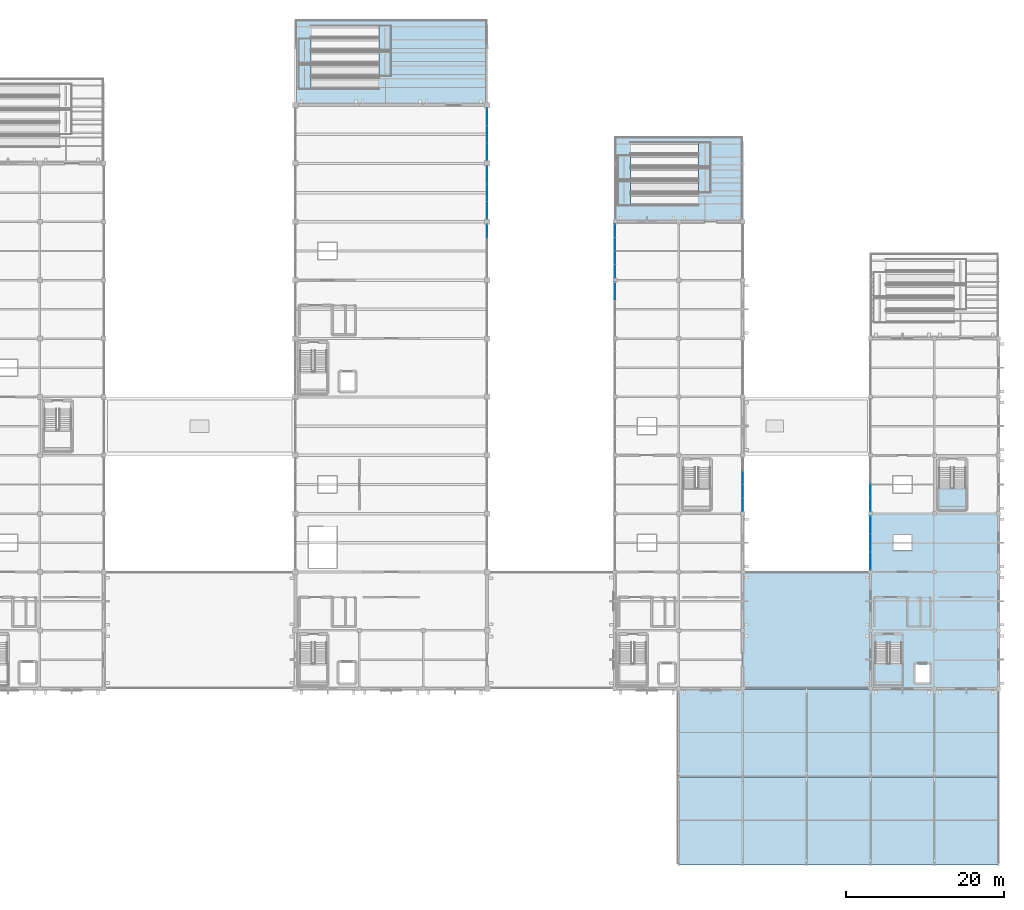
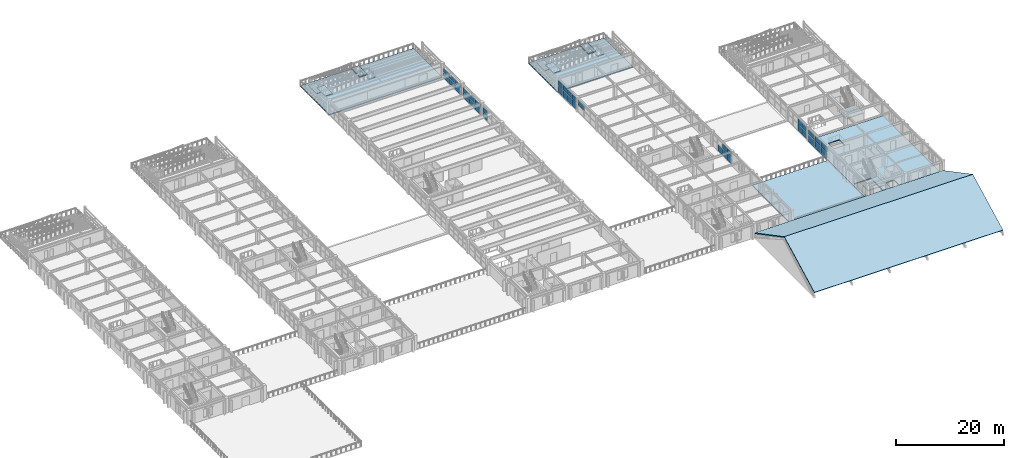
# One storey, part 98 of 121: 38 plates, 16 slabs, 10 elements without a shape of their own.
"""IFC4 building model written with IfcOpenShell, lengths in metres."""

from ifc_helpers import new_model, si_unit, direction, frame, origin, origin_2d, place, context, subcontext, project, spatial, polyline, rectangle, outline, extrude, material, layer, layer_set, type_object, element, aggregate, save


model = new_model("IFC4")

# Units and contexts
model_context = context("Model", 3, precision=1e-05, world=origin(), true_north=direction((0.0, 1.0)))
body_context = subcontext(model_context, "Body", "Model", "MODEL_VIEW")
ifc_project = project(units=[si_unit("LENGTHUNIT", "METRE"), si_unit("AREAUNIT", "SQUARE_METRE"), si_unit("VOLUMEUNIT", "CUBIC_METRE"), si_unit("PLANEANGLEUNIT", "RADIAN"), si_unit("MASSUNIT", "GRAM", prefix="KILO")], contexts=[model_context])

# Site, building, storey
site_placement = place(None, origin())
site = spatial("IfcSite", under=ifc_project, at=site_placement, CompositionType="ELEMENT")
building_placement = place(site_placement, origin())
building = spatial("IfcBuilding", under=site, at=building_placement, Name="Cimatlan Art Gallery", CompositionType="ELEMENT")
storey_placement = place(building_placement, frame((0.0, 0.0, 10.199951171875)))
storey = spatial("IfcBuildingStorey", under=building, at=storey_placement, Name="L02", CompositionType="ELEMENT", Elevation=10.199951171875)

# Curtain wall, plates
ifc_material_1 = material(Name="Anodised bronze unitised curtain wall")
curtain_wall_type_1 = type_object("IfcCurtainWallType", Name="CW-V-06692X02494-B4", PredefinedType="NOTDEFINED", material=ifc_material_1)
curtain_wall_1_placement = place(storey_placement, origin())
curtain_wall_1 = element("IfcCurtainWall", 1, at=curtain_wall_1_placement, inside=storey, type_object=curtain_wall_type_1, Name="CW-L02-11-10-E", PredefinedType="NOTDEFINED")
ifc_material_2 = material(Name="Low-E insulated double glazing", Category="glass")
ifc_layer_1 = layer(ifc_material_2, 0.028076171875)
ifc_layer_set_1 = layer_set([ifc_layer_1], Name="Low-E insulated double glazing")
plate_type_1 = type_object("IfcPlateType", Name="PNL-1615X0913", PredefinedType="CURTAIN_PANEL", material=ifc_layer_set_1)
plate_1_placement = place(storey_placement, frame((99.199951171875, 81.909423828125, 1.458740234375), z_axis=(0.0, 0.0, 1.0), x_axis=(0.0, -1.0, 0.0)))
plate_1 = element("IfcPlate", 2, at=plate_1_placement, type_object=plate_type_1, Name="CW-L02-11-10-E-P12", PredefinedType="CURTAIN_PANEL", context=body_context, shape_type="SweptSolid", body=[
    extrude(rectangle(XDim=1.614990234375, YDim=0.028076171875, at=origin_2d()), origin(), (0.0, 0.0, 1.0), 0.9130859375),
])
ifc_layer_2 = layer(ifc_material_2, 0.028076171875)
ifc_layer_set_2 = layer_set([ifc_layer_2], Name="Low-E insulated double glazing")
plate_type_2 = type_object("IfcPlateType", Name="PNL-1615X1213", PredefinedType="CURTAIN_PANEL", material=ifc_layer_set_2)
plate_2_placement = place(storey_placement, frame((99.199951171875, 81.909423828125, 0.121826171875), z_axis=(0.0, 0.0, 1.0), x_axis=(0.0, -1.0, 0.0)))
plate_2 = element("IfcPlate", 3, at=plate_2_placement, type_object=plate_type_2, Name="CW-L02-11-10-E-P11", PredefinedType="CURTAIN_PANEL", context=body_context, shape_type="SweptSolid", body=[
    extrude(rectangle(XDim=1.614990234375, YDim=0.028076171875, at=origin_2d()), origin(), (0.0, 0.0, 1.0), 1.212890625),
])
aggregate(curtain_wall_1, [plate_2, plate_1])

curtain_wall_type_2 = type_object("IfcCurtainWallType", Name="CW-V-06842X02838-B4", PredefinedType="NOTDEFINED", material=ifc_material_1)
curtain_wall_2_placement = place(storey_placement, origin())
curtain_wall_2 = element("IfcCurtainWall", 4, at=curtain_wall_2_placement, inside=storey, type_object=curtain_wall_type_2, Name="CW-L02-14-10-W", PredefinedType="NOTDEFINED")
ifc_layer_3 = layer(ifc_material_2, 0.028076171875)
ifc_layer_set_3 = layer_set([ifc_layer_3], Name="Low-E insulated double glazing")
plate_type_3 = type_object("IfcPlateType", Name="PNL-1652X1065", PredefinedType="CURTAIN_PANEL", material=ifc_layer_set_3)
plate_3_placement = place(storey_placement, frame((115.39990234375, 76.834228515625, 1.651123046875), z_axis=(0.0, 0.0, 1.0), x_axis=(0.0, 1.0, 0.0)))
plate_3 = element("IfcPlate", 5, at=plate_3_placement, type_object=plate_type_3, Name="CW-L02-14-10-W-P12", PredefinedType="CURTAIN_PANEL", context=body_context, shape_type="SweptSolid", body=[
    extrude(rectangle(XDim=1.652099609375, YDim=0.028076171875, at=origin_2d()), origin(), (0.0, 0.0, 1.0), 1.06494140625),
])
plate_4_placement = place(storey_placement, frame((115.39990234375, 78.544677734375, 1.651123046875), z_axis=(0.0, 0.0, 1.0), x_axis=(0.0, 1.0, 0.0)))
plate_4 = element("IfcPlate", 6, at=plate_4_placement, type_object=plate_type_3, Name="CW-L02-14-10-W-P22", PredefinedType="CURTAIN_PANEL", context=body_context, shape_type="SweptSolid", body=[
    extrude(rectangle(XDim=1.652099609375, YDim=0.028076171875, at=origin_2d()), origin(), (0.0, 0.0, 1.0), 1.06494140625),
])
plate_5_placement = place(storey_placement, frame((115.39990234375, 80.25537109375, 1.651123046875), z_axis=(0.0, 0.0, 1.0), x_axis=(0.0, 1.0, 0.0)))
plate_5 = element("IfcPlate", 7, at=plate_5_placement, type_object=plate_type_3, Name="CW-L02-14-10-W-P32", PredefinedType="CURTAIN_PANEL", context=body_context, shape_type="SweptSolid", body=[
    extrude(rectangle(XDim=1.652099609375, YDim=0.028076171875, at=origin_2d()), origin(), (0.0, 0.0, 1.0), 1.06494140625),
])
plate_6_placement = place(storey_placement, frame((115.39990234375, 81.9658203125, 1.651123046875), z_axis=(0.0, 0.0, 1.0), x_axis=(0.0, 1.0, 0.0)))
plate_6 = element("IfcPlate", 8, at=plate_6_placement, type_object=plate_type_3, Name="CW-L02-14-10-W-P42", PredefinedType="CURTAIN_PANEL", context=body_context, shape_type="SweptSolid", body=[
    extrude(rectangle(XDim=1.652099609375, YDim=0.028076171875, at=origin_2d()), origin(), (0.0, 0.0, 1.0), 1.06494140625),
])

curtain_wall_type_3 = type_object("IfcCurtainWallType", Name="CW-V-06842X02853-B4", PredefinedType="NOTDEFINED", material=ifc_material_1)
curtain_wall_3_placement = place(storey_placement, origin())
curtain_wall_3 = element("IfcCurtainWall", 9, at=curtain_wall_3_placement, inside=storey, type_object=curtain_wall_type_3, Name="CW-L02-15-06-E", PredefinedType="NOTDEFINED")
ifc_layer_4 = layer(ifc_material_2, 0.028076171875)
ifc_layer_set_4 = layer_set([ifc_layer_4], Name="Low-E insulated double glazing")
plate_type_4 = type_object("IfcPlateType", Name="PNL-1652X1071", PredefinedType="CURTAIN_PANEL", material=ifc_layer_set_4)
plate_7_placement = place(storey_placement, frame((131.60009765625, 48.94482421875, 1.65966796875), z_axis=(0.0, 0.0, 1.0), x_axis=(0.0, -1.0, 0.0)))
plate_7 = element("IfcPlate", 10, at=plate_7_placement, type_object=plate_type_4, Name="CW-L02-15-06-E-P32", PredefinedType="CURTAIN_PANEL", context=body_context, shape_type="SweptSolid", body=[
    extrude(rectangle(XDim=1.652099609375, YDim=0.028076171875, at=origin_2d()), origin(), (0.0, 0.0, 1.0), 1.071044921875),
])
plate_8_placement = place(storey_placement, frame((131.60009765625, 47.234130859375, 1.65966796875), z_axis=(0.0, 0.0, 1.0), x_axis=(0.0, -1.0, 0.0)))
plate_8 = element("IfcPlate", 11, at=plate_8_placement, type_object=plate_type_4, Name="CW-L02-15-06-E-P42", PredefinedType="CURTAIN_PANEL", context=body_context, shape_type="SweptSolid", body=[
    extrude(rectangle(XDim=1.652099609375, YDim=0.028076171875, at=origin_2d()), origin(), (0.0, 0.0, 1.0), 1.071044921875),
])

curtain_wall_type_4 = type_object("IfcCurtainWallType", Name="CW-V-06842X02898-B4", PredefinedType="NOTDEFINED", material=ifc_material_1)
curtain_wall_4_placement = place(storey_placement, origin())
curtain_wall_4 = element("IfcCurtainWall", 12, at=curtain_wall_4_placement, inside=storey, type_object=curtain_wall_type_4, Name="CW-L02-18-06-W", PredefinedType="NOTDEFINED")
ifc_layer_5 = layer(ifc_material_2, 0.028076171875)
ifc_layer_set_5 = layer_set([ifc_layer_5], Name="Low-E insulated double glazing")
plate_type_5 = type_object("IfcPlateType", Name="PNL-1652X1091", PredefinedType="CURTAIN_PANEL", material=ifc_layer_set_5)
plate_9_placement = place(storey_placement, frame((147.800048828125, 47.234130859375, 1.68505859375), z_axis=(0.0, 0.0, 1.0), x_axis=(0.0, 1.0, 0.0)))
plate_9 = element("IfcPlate", 13, at=plate_9_placement, type_object=plate_type_5, Name="CW-L02-18-06-W-P12", PredefinedType="CURTAIN_PANEL", context=body_context, shape_type="SweptSolid", body=[
    extrude(rectangle(XDim=1.652099609375, YDim=0.028076171875, at=origin_2d()), origin(), (0.0, 0.0, 1.0), 1.091064453125),
])
plate_10_placement = place(storey_placement, frame((147.800048828125, 48.94482421875, 1.68505859375), z_axis=(0.0, 0.0, 1.0), x_axis=(0.0, 1.0, 0.0)))
plate_10 = element("IfcPlate", 14, at=plate_10_placement, type_object=plate_type_5, Name="CW-L02-18-06-W-P22", PredefinedType="CURTAIN_PANEL", context=body_context, shape_type="SweptSolid", body=[
    extrude(rectangle(XDim=1.652099609375, YDim=0.028076171875, at=origin_2d()), origin(), (0.0, 0.0, 1.0), 1.091064453125),
])

# Plate
ifc_layer_6 = layer(ifc_material_2, 0.028076171875)
ifc_layer_set_6 = layer_set([ifc_layer_6], Name="Low-E insulated double glazing")
plate_type_6 = type_object("IfcPlateType", Name="PNL-1652X1405", PredefinedType="CURTAIN_PANEL", material=ifc_layer_set_6)
plate_11_placement = place(storey_placement, frame((115.39990234375, 76.834228515625, 0.1220703125), z_axis=(0.0, 0.0, 1.0), x_axis=(0.0, 1.0, 0.0)))
plate_11 = element("IfcPlate", 15, at=plate_11_placement, type_object=plate_type_6, Name="CW-L02-14-10-W-P11", PredefinedType="CURTAIN_PANEL", context=body_context, shape_type="SweptSolid", body=[
    extrude(rectangle(XDim=1.652099609375, YDim=0.028076171875, at=origin_2d()), origin(), (0.0, 0.0, 1.0), 1.405029296875),
])

plate_12_placement = place(storey_placement, frame((115.39990234375, 78.544677734375, 0.1220703125), z_axis=(0.0, 0.0, 1.0), x_axis=(0.0, 1.0, 0.0)))
plate_12 = element("IfcPlate", 16, at=plate_12_placement, type_object=plate_type_6, Name="CW-L02-14-10-W-P21", PredefinedType="CURTAIN_PANEL", context=body_context, shape_type="SweptSolid", body=[
    extrude(rectangle(XDim=1.652099609375, YDim=0.028076171875, at=origin_2d()), origin(), (0.0, 0.0, 1.0), 1.405029296875),
])

plate_13_placement = place(storey_placement, frame((115.39990234375, 80.25537109375, 0.1220703125), z_axis=(0.0, 0.0, 1.0), x_axis=(0.0, 1.0, 0.0)))
plate_13 = element("IfcPlate", 17, at=plate_13_placement, type_object=plate_type_6, Name="CW-L02-14-10-W-P31", PredefinedType="CURTAIN_PANEL", context=body_context, shape_type="SweptSolid", body=[
    extrude(rectangle(XDim=1.652099609375, YDim=0.028076171875, at=origin_2d()), origin(), (0.0, 0.0, 1.0), 1.405029296875),
])

plate_14_placement = place(storey_placement, frame((115.39990234375, 81.9658203125, 0.1220703125), z_axis=(0.0, 0.0, 1.0), x_axis=(0.0, 1.0, 0.0)))
plate_14 = element("IfcPlate", 18, at=plate_14_placement, type_object=plate_type_6, Name="CW-L02-14-10-W-P41", PredefinedType="CURTAIN_PANEL", context=body_context, shape_type="SweptSolid", body=[
    extrude(rectangle(XDim=1.652099609375, YDim=0.028076171875, at=origin_2d()), origin(), (0.0, 0.0, 1.0), 1.405029296875),
])

aggregate(curtain_wall_2, [plate_11, plate_3, plate_12, plate_4, plate_13, plate_5, plate_14, plate_6])

ifc_layer_7 = layer(ifc_material_2, 0.028076171875)
ifc_layer_set_7 = layer_set([ifc_layer_7], Name="Low-E insulated double glazing")
plate_type_7 = type_object("IfcPlateType", Name="PNL-1652X1414", PredefinedType="CURTAIN_PANEL", material=ifc_layer_set_7)
plate_15_placement = place(storey_placement, frame((131.60009765625, 50.6552734375, 0.121826171875), z_axis=(0.0, 0.0, 1.0), x_axis=(0.0, -1.0, 0.0)))
plate_15 = element("IfcPlate", 19, at=plate_15_placement, type_object=plate_type_7, Name="CW-L02-15-06-E-P21", PredefinedType="CURTAIN_PANEL", context=body_context, shape_type="SweptSolid", body=[
    extrude(rectangle(XDim=1.652099609375, YDim=0.028076171875, at=origin_2d()), origin(), (0.0, 0.0, 1.0), 1.4140625),
])

plate_16_placement = place(storey_placement, frame((131.60009765625, 48.94482421875, 0.121826171875), z_axis=(0.0, 0.0, 1.0), x_axis=(0.0, -1.0, 0.0)))
plate_16 = element("IfcPlate", 20, at=plate_16_placement, type_object=plate_type_7, Name="CW-L02-15-06-E-P31", PredefinedType="CURTAIN_PANEL", context=body_context, shape_type="SweptSolid", body=[
    extrude(rectangle(XDim=1.652099609375, YDim=0.028076171875, at=origin_2d()), origin(), (0.0, 0.0, 1.0), 1.4140625),
])

plate_17_placement = place(storey_placement, frame((131.60009765625, 47.234130859375, 0.121826171875), z_axis=(0.0, 0.0, 1.0), x_axis=(0.0, -1.0, 0.0)))
plate_17 = element("IfcPlate", 21, at=plate_17_placement, type_object=plate_type_7, Name="CW-L02-15-06-E-P41", PredefinedType="CURTAIN_PANEL", context=body_context, shape_type="SweptSolid", body=[
    extrude(rectangle(XDim=1.652099609375, YDim=0.028076171875, at=origin_2d()), origin(), (0.0, 0.0, 1.0), 1.4140625),
])

aggregate(curtain_wall_3, [plate_15, plate_16, plate_7, plate_17, plate_8])

ifc_layer_8 = layer(ifc_material_2, 0.028076171875)
ifc_layer_set_8 = layer_set([ifc_layer_8], Name="Low-E insulated double glazing")
plate_type_8 = type_object("IfcPlateType", Name="PNL-1652X1439", PredefinedType="CURTAIN_PANEL", material=ifc_layer_set_8)
plate_18_placement = place(storey_placement, frame((147.800048828125, 47.234130859375, 0.1220703125), z_axis=(0.0, 0.0, 1.0), x_axis=(0.0, 1.0, 0.0)))
plate_18 = element("IfcPlate", 22, at=plate_18_placement, type_object=plate_type_8, Name="CW-L02-18-06-W-P11", PredefinedType="CURTAIN_PANEL", context=body_context, shape_type="SweptSolid", body=[
    extrude(rectangle(XDim=1.652099609375, YDim=0.028076171875, at=origin_2d()), origin(), (0.0, 0.0, 1.0), 1.43896484375),
])

plate_19_placement = place(storey_placement, frame((147.800048828125, 48.94482421875, 0.1220703125), z_axis=(0.0, 0.0, 1.0), x_axis=(0.0, 1.0, 0.0)))
plate_19 = element("IfcPlate", 23, at=plate_19_placement, type_object=plate_type_8, Name="CW-L02-18-06-W-P21", PredefinedType="CURTAIN_PANEL", context=body_context, shape_type="SweptSolid", body=[
    extrude(rectangle(XDim=1.652099609375, YDim=0.028076171875, at=origin_2d()), origin(), (0.0, 0.0, 1.0), 1.43896484375),
])

aggregate(curtain_wall_4, [plate_18, plate_9, plate_19, plate_10])

# Curtain wall, plates
curtain_wall_type_5 = type_object("IfcCurtainWallType", Name="CW-V-06692X02464-B3", PredefinedType="NOTDEFINED", material=ifc_material_1)
curtain_wall_5_placement = place(storey_placement, origin())
curtain_wall_5 = element("IfcCurtainWall", 24, at=curtain_wall_5_placement, inside=storey, type_object=curtain_wall_type_5, Name="CW-L02-11-12-E", PredefinedType="NOTDEFINED")
ifc_layer_9 = layer(ifc_material_2, 0.028076171875)
ifc_layer_set_9 = layer_set([ifc_layer_9], Name="Low-E insulated double glazing")
plate_type_9 = type_object("IfcPlateType", Name="PNL-2173X0900", PredefinedType="CURTAIN_PANEL", material=ifc_layer_set_9)
plate_20_placement = place(storey_placement, frame((99.199951171875, 96.4306640625, 1.44189453125), z_axis=(0.0, 0.0, 1.0), x_axis=(0.0, -1.0, 0.0)))
plate_20 = element("IfcPlate", 25, at=plate_20_placement, type_object=plate_type_9, Name="CW-L02-11-12-E-P12", PredefinedType="CURTAIN_PANEL", context=body_context, shape_type="SweptSolid", body=[
    extrude(rectangle(XDim=2.173095703125, YDim=0.028076171875, at=origin_2d()), origin(), (0.0, 0.0, 1.0), 0.89990234375),
])
plate_21_placement = place(storey_placement, frame((99.199951171875, 94.199951171875, 1.44189453125), z_axis=(0.0, 0.0, 1.0), x_axis=(0.0, -1.0, 0.0)))
plate_21 = element("IfcPlate", 26, at=plate_21_placement, type_object=plate_type_9, Name="CW-L02-11-12-E-P22", PredefinedType="CURTAIN_PANEL", context=body_context, shape_type="SweptSolid", body=[
    extrude(rectangle(XDim=2.173095703125, YDim=0.028076171875, at=origin_2d()), origin(), (0.0, 0.0, 1.0), 0.89990234375),
])
plate_22_placement = place(storey_placement, frame((99.199951171875, 91.96923828125, 1.44189453125), z_axis=(0.0, 0.0, 1.0), x_axis=(0.0, -1.0, 0.0)))
plate_22 = element("IfcPlate", 27, at=plate_22_placement, type_object=plate_type_9, Name="CW-L02-11-12-E-P32", PredefinedType="CURTAIN_PANEL", context=body_context, shape_type="SweptSolid", body=[
    extrude(rectangle(XDim=2.173095703125, YDim=0.028076171875, at=origin_2d()), origin(), (0.0, 0.0, 1.0), 0.89990234375),
])

curtain_wall_type_6 = type_object("IfcCurtainWallType", Name="CW-V-06692X02479-B3", PredefinedType="NOTDEFINED", material=ifc_material_1)
curtain_wall_6_placement = place(storey_placement, origin())
curtain_wall_6 = element("IfcCurtainWall", 28, at=curtain_wall_6_placement, inside=storey, type_object=curtain_wall_type_6, Name="CW-L02-11-11-E", PredefinedType="NOTDEFINED")
ifc_layer_10 = layer(ifc_material_2, 0.028076171875)
ifc_layer_set_10 = layer_set([ifc_layer_10], Name="Low-E insulated double glazing")
plate_type_10 = type_object("IfcPlateType", Name="PNL-2173X0907", PredefinedType="CURTAIN_PANEL", material=ifc_layer_set_10)
plate_23_placement = place(storey_placement, frame((99.199951171875, 89.03076171875, 1.4501953125), z_axis=(0.0, 0.0, 1.0), x_axis=(0.0, -1.0, 0.0)))
plate_23 = element("IfcPlate", 29, at=plate_23_placement, type_object=plate_type_10, Name="CW-L02-11-11-E-P12", PredefinedType="CURTAIN_PANEL", context=body_context, shape_type="SweptSolid", body=[
    extrude(rectangle(XDim=2.173095703125, YDim=0.028076171875, at=origin_2d()), origin(), (0.0, 0.0, 1.0), 0.906982421875),
])
plate_24_placement = place(storey_placement, frame((99.199951171875, 86.800048828125, 1.4501953125), z_axis=(0.0, 0.0, 1.0), x_axis=(0.0, -1.0, 0.0)))
plate_24 = element("IfcPlate", 30, at=plate_24_placement, type_object=plate_type_10, Name="CW-L02-11-11-E-P22", PredefinedType="CURTAIN_PANEL", context=body_context, shape_type="SweptSolid", body=[
    extrude(rectangle(XDim=2.173095703125, YDim=0.028076171875, at=origin_2d()), origin(), (0.0, 0.0, 1.0), 0.906982421875),
])
plate_25_placement = place(storey_placement, frame((99.199951171875, 84.5693359375, 1.4501953125), z_axis=(0.0, 0.0, 1.0), x_axis=(0.0, -1.0, 0.0)))
plate_25 = element("IfcPlate", 31, at=plate_25_placement, type_object=plate_type_10, Name="CW-L02-11-11-E-P32", PredefinedType="CURTAIN_PANEL", context=body_context, shape_type="SweptSolid", body=[
    extrude(rectangle(XDim=2.173095703125, YDim=0.028076171875, at=origin_2d()), origin(), (0.0, 0.0, 1.0), 0.906982421875),
])

# Plate
ifc_layer_11 = layer(ifc_material_2, 0.028076171875)
ifc_layer_set_11 = layer_set([ifc_layer_11], Name="Low-E insulated double glazing")
plate_type_11 = type_object("IfcPlateType", Name="PNL-2173X1196", PredefinedType="CURTAIN_PANEL", material=ifc_layer_set_11)
plate_26_placement = place(storey_placement, frame((99.199951171875, 96.4306640625, 0.1220703125), z_axis=(0.0, 0.0, 1.0), x_axis=(0.0, -1.0, 0.0)))
plate_26 = element("IfcPlate", 32, at=plate_26_placement, type_object=plate_type_11, Name="CW-L02-11-12-E-P11", PredefinedType="CURTAIN_PANEL", context=body_context, shape_type="SweptSolid", body=[
    extrude(rectangle(XDim=2.173095703125, YDim=0.028076171875, at=origin_2d()), origin(), (0.0, 0.0, 1.0), 1.196044921875),
])

plate_27_placement = place(storey_placement, frame((99.199951171875, 94.199951171875, 0.1220703125), z_axis=(0.0, 0.0, 1.0), x_axis=(0.0, -1.0, 0.0)))
plate_27 = element("IfcPlate", 33, at=plate_27_placement, type_object=plate_type_11, Name="CW-L02-11-12-E-P21", PredefinedType="CURTAIN_PANEL", context=body_context, shape_type="SweptSolid", body=[
    extrude(rectangle(XDim=2.173095703125, YDim=0.028076171875, at=origin_2d()), origin(), (0.0, 0.0, 1.0), 1.196044921875),
])

plate_28_placement = place(storey_placement, frame((99.199951171875, 91.96923828125, 0.1220703125), z_axis=(0.0, 0.0, 1.0), x_axis=(0.0, -1.0, 0.0)))
plate_28 = element("IfcPlate", 34, at=plate_28_placement, type_object=plate_type_11, Name="CW-L02-11-12-E-P31", PredefinedType="CURTAIN_PANEL", context=body_context, shape_type="SweptSolid", body=[
    extrude(rectangle(XDim=2.173095703125, YDim=0.028076171875, at=origin_2d()), origin(), (0.0, 0.0, 1.0), 1.196044921875),
])

aggregate(curtain_wall_5, [plate_26, plate_20, plate_27, plate_21, plate_28, plate_22])

ifc_layer_12 = layer(ifc_material_2, 0.028076171875)
ifc_layer_set_12 = layer_set([ifc_layer_12], Name="Low-E insulated double glazing")
plate_type_12 = type_object("IfcPlateType", Name="PNL-2173X1204", PredefinedType="CURTAIN_PANEL", material=ifc_layer_set_12)
plate_29_placement = place(storey_placement, frame((99.199951171875, 89.03076171875, 0.1220703125), z_axis=(0.0, 0.0, 1.0), x_axis=(0.0, -1.0, 0.0)))
plate_29 = element("IfcPlate", 35, at=plate_29_placement, type_object=plate_type_12, Name="CW-L02-11-11-E-P11", PredefinedType="CURTAIN_PANEL", context=body_context, shape_type="SweptSolid", body=[
    extrude(rectangle(XDim=2.173095703125, YDim=0.028076171875, at=origin_2d()), origin(), (0.0, 0.0, 1.0), 1.2041015625),
])

plate_30_placement = place(storey_placement, frame((99.199951171875, 86.800048828125, 0.1220703125), z_axis=(0.0, 0.0, 1.0), x_axis=(0.0, -1.0, 0.0)))
plate_30 = element("IfcPlate", 36, at=plate_30_placement, type_object=plate_type_12, Name="CW-L02-11-11-E-P21", PredefinedType="CURTAIN_PANEL", context=body_context, shape_type="SweptSolid", body=[
    extrude(rectangle(XDim=2.173095703125, YDim=0.028076171875, at=origin_2d()), origin(), (0.0, 0.0, 1.0), 1.2041015625),
])

plate_31_placement = place(storey_placement, frame((99.199951171875, 84.5693359375, 0.1220703125), z_axis=(0.0, 0.0, 1.0), x_axis=(0.0, -1.0, 0.0)))
plate_31 = element("IfcPlate", 37, at=plate_31_placement, type_object=plate_type_12, Name="CW-L02-11-11-E-P31", PredefinedType="CURTAIN_PANEL", context=body_context, shape_type="SweptSolid", body=[
    extrude(rectangle(XDim=2.173095703125, YDim=0.028076171875, at=origin_2d()), origin(), (0.0, 0.0, 1.0), 1.2041015625),
])

aggregate(curtain_wall_6, [plate_29, plate_23, plate_30, plate_24, plate_31, plate_25])

# Curtain wall, plates
curtain_wall_type_7 = type_object("IfcCurtainWallType", Name="CW-V-06842X02823-B3", PredefinedType="NOTDEFINED", material=ifc_material_1)
curtain_wall_7_placement = place(storey_placement, origin())
curtain_wall_7 = element("IfcCurtainWall", 38, at=curtain_wall_7_placement, inside=storey, type_object=curtain_wall_type_7, Name="CW-L02-18-05-W", PredefinedType="NOTDEFINED")
ifc_layer_13 = layer(ifc_material_2, 0.028076171875)
ifc_layer_set_13 = layer_set([ifc_layer_13], Name="Low-E insulated double glazing")
plate_type_13 = type_object("IfcPlateType", Name="PNL-2223X1058", PredefinedType="CURTAIN_PANEL", material=ifc_layer_set_13)
plate_32_placement = place(storey_placement, frame((147.800048828125, 40.119384765625, 1.64306640625), z_axis=(0.0, 0.0, 1.0), x_axis=(0.0, 1.0, 0.0)))
plate_32 = element("IfcPlate", 39, at=plate_32_placement, type_object=plate_type_13, Name="CW-L02-18-05-W-P12", PredefinedType="CURTAIN_PANEL", context=body_context, shape_type="SweptSolid", body=[
    extrude(rectangle(XDim=2.222900390625, YDim=0.028076171875, at=origin_2d()), origin(), (0.0, 0.0, 1.0), 1.05810546875),
])
plate_33_placement = place(storey_placement, frame((147.800048828125, 42.39990234375, 1.64306640625), z_axis=(0.0, 0.0, 1.0), x_axis=(0.0, 1.0, 0.0)))
plate_33 = element("IfcPlate", 40, at=plate_33_placement, type_object=plate_type_13, Name="CW-L02-18-05-W-P22", PredefinedType="CURTAIN_PANEL", context=body_context, shape_type="SweptSolid", body=[
    extrude(rectangle(XDim=2.222900390625, YDim=0.028076171875, at=origin_2d()), origin(), (0.0, 0.0, 1.0), 1.05810546875),
])
plate_34_placement = place(storey_placement, frame((147.800048828125, 44.6806640625, 1.64306640625), z_axis=(0.0, 0.0, 1.0), x_axis=(0.0, 1.0, 0.0)))
plate_34 = element("IfcPlate", 41, at=plate_34_placement, type_object=plate_type_13, Name="CW-L02-18-05-W-P32", PredefinedType="CURTAIN_PANEL", context=body_context, shape_type="SweptSolid", body=[
    extrude(rectangle(XDim=2.222900390625, YDim=0.028076171875, at=origin_2d()), origin(), (0.0, 0.0, 1.0), 1.05810546875),
])

# Curtain wall, plate
curtain_wall_type_8 = type_object("IfcCurtainWallType", Name="CW-V-06842X02853-B3", PredefinedType="NOTDEFINED", material=ifc_material_1)
curtain_wall_8_placement = place(storey_placement, origin())
curtain_wall_8 = element("IfcCurtainWall", 42, at=curtain_wall_8_placement, inside=storey, type_object=curtain_wall_type_8, Name="CW-L02-14-09-W", PredefinedType="NOTDEFINED")
ifc_layer_14 = layer(ifc_material_2, 0.028076171875)
ifc_layer_set_14 = layer_set([ifc_layer_14], Name="Low-E insulated double glazing")
plate_type_14 = type_object("IfcPlateType", Name="PNL-2223X1071", PredefinedType="CURTAIN_PANEL", material=ifc_layer_set_14)
plate_35_placement = place(storey_placement, frame((115.39990234375, 74.28076171875, 1.65966796875), z_axis=(0.0, 0.0, 1.0), x_axis=(0.0, 1.0, 0.0)))
plate_35 = element("IfcPlate", 43, at=plate_35_placement, type_object=plate_type_14, Name="CW-L02-14-09-W-P32", PredefinedType="CURTAIN_PANEL", context=body_context, shape_type="SweptSolid", body=[
    extrude(rectangle(XDim=2.222900390625, YDim=0.028076171875, at=origin_2d()), origin(), (0.0, 0.0, 1.0), 1.071044921875),
])
aggregate(curtain_wall_8, [plate_35])

# Plate
ifc_layer_15 = layer(ifc_material_2, 0.028076171875)
ifc_layer_set_15 = layer_set([ifc_layer_15], Name="Low-E insulated double glazing")
plate_type_15 = type_object("IfcPlateType", Name="PNL-2223X1397", PredefinedType="CURTAIN_PANEL", material=ifc_layer_set_15)
plate_36_placement = place(storey_placement, frame((147.800048828125, 40.119384765625, 0.1220703125), z_axis=(0.0, 0.0, 1.0), x_axis=(0.0, 1.0, 0.0)))
plate_36 = element("IfcPlate", 44, at=plate_36_placement, type_object=plate_type_15, Name="CW-L02-18-05-W-P11", PredefinedType="CURTAIN_PANEL", context=body_context, shape_type="SweptSolid", body=[
    extrude(rectangle(XDim=2.222900390625, YDim=0.028076171875, at=origin_2d()), origin(), (0.0, 0.0, 1.0), 1.39697265625),
])

plate_37_placement = place(storey_placement, frame((147.800048828125, 42.39990234375, 0.1220703125), z_axis=(0.0, 0.0, 1.0), x_axis=(0.0, 1.0, 0.0)))
plate_37 = element("IfcPlate", 45, at=plate_37_placement, type_object=plate_type_15, Name="CW-L02-18-05-W-P21", PredefinedType="CURTAIN_PANEL", context=body_context, shape_type="SweptSolid", body=[
    extrude(rectangle(XDim=2.222900390625, YDim=0.028076171875, at=origin_2d()), origin(), (0.0, 0.0, 1.0), 1.39697265625),
])

plate_38_placement = place(storey_placement, frame((147.800048828125, 44.6806640625, 0.1220703125), z_axis=(0.0, 0.0, 1.0), x_axis=(0.0, 1.0, 0.0)))
plate_38 = element("IfcPlate", 46, at=plate_38_placement, type_object=plate_type_15, Name="CW-L02-18-05-W-P31", PredefinedType="CURTAIN_PANEL", context=body_context, shape_type="SweptSolid", body=[
    extrude(rectangle(XDim=2.222900390625, YDim=0.028076171875, at=origin_2d()), origin(), (0.0, 0.0, 1.0), 1.39697265625),
])

aggregate(curtain_wall_7, [plate_36, plate_32, plate_37, plate_33, plate_38, plate_34])

# Slabs
ifc_material_3 = material(Name="Concrete C35/45", Category="concrete")
ifc_layer_16 = layer(ifc_material_3, 0.239990234375)
ifc_layer_set_16 = layer_set([ifc_layer_16], Name="Concrete C35/45")
slab_type_1 = type_object("IfcSlabType", Name="SLB-FLR-L02", PredefinedType="FLOOR", material=ifc_layer_set_16)
slab_1_placement = place(storey_placement, frame((0.0, 0.0, -0.239990234375)))
element("IfcSlab", 47, at=slab_1_placement, inside=storey, type_object=slab_type_1, Name="SLB-L02-B5S", PredefinedType="FLOOR", context=body_context, shape_type="SweptSolid", body=[
    extrude(outline(polyline([(147.800048828125, 23.89990234375), (164.0, 23.89990234375), (164.0, 46.10009765625), (147.800048828125, 46.10009765625), (147.800048828125, 23.89990234375)]), holes=[polyline([(148.300048828125, 24.419921875), (151.820068359375, 24.419921875), (151.820068359375, 29.64990234375), (148.300048828125, 29.64990234375), (148.300048828125, 24.419921875)]), polyline([(153.510009765625, 24.7099609375), (155.2900390625, 24.7099609375), (155.2900390625, 26.989990234375), (153.510009765625, 26.989990234375), (153.510009765625, 24.7099609375)]), polyline([(150.699951171875, 41.39990234375), (153.0, 41.39990234375), (153.0, 43.39990234375), (150.699951171875, 43.39990234375), (150.699951171875, 41.39990234375)])]), origin(), (0.0, 0.0, 1.0), 0.239990234375),
])
ifc_layer_17 = layer(ifc_material_3, 0.199951171875)
ifc_layer_set_17 = layer_set([ifc_layer_17], Name="Concrete C35/45")
slab_type_2 = type_object("IfcSlabType", Name="SLB-RMP-LAND-200", PredefinedType="LANDING", material=ifc_layer_set_17)
slab_2_placement = place(storey_placement, frame((0.0, 0.0, 0.52001953125)))
element("IfcSlab", 48, at=slab_2_placement, inside=storey, type_object=slab_type_2, Name="RMP-TER-B3-LND1", PredefinedType="LANDING", context=body_context, shape_type="SweptSolid", body=[
    extrude(outline(polyline([(85.489990234375, 104.85009765625), (87.090087890625, 104.85009765625), (87.090087890625, 108.0), (85.489990234375, 108.0), (85.489990234375, 104.85009765625)])), origin(), (0.0, 0.0, 1.0), 0.199951171875),
])
slab_3_placement = place(storey_placement, frame((0.0, 0.0, 1.239990234375)))
element("IfcSlab", 49, at=slab_3_placement, inside=storey, type_object=slab_type_2, Name="RMP-TER-B3-LND2", PredefinedType="LANDING", context=body_context, shape_type="SweptSolid", body=[
    extrude(outline(polyline([(75.25, 103.199951171875), (76.85009765625, 103.199951171875), (76.85009765625, 106.35009765625), (75.25, 106.35009765625), (75.25, 103.199951171875)])), origin(), (0.0, 0.0, 1.0), 0.199951171875),
])
slab_4_placement = place(storey_placement, frame((0.0, 0.0, 1.9599609375)))
element("IfcSlab", 50, at=slab_4_placement, inside=storey, type_object=slab_type_2, Name="RMP-TER-B3-LND3", PredefinedType="LANDING", context=body_context, shape_type="SweptSolid", body=[
    extrude(outline(polyline([(85.489990234375, 101.550048828125), (87.090087890625, 101.550048828125), (87.090087890625, 104.699951171875), (85.489990234375, 104.699951171875), (85.489990234375, 101.550048828125)])), origin(), (0.0, 0.0, 1.0), 0.2001953125),
])
slab_5_placement = place(storey_placement, frame((0.0, 0.0, 2.679931640625)))
element("IfcSlab", 51, at=slab_5_placement, inside=storey, type_object=slab_type_2, Name="RMP-TER-B3-LND4", PredefinedType="LANDING", context=body_context, shape_type="SweptSolid", body=[
    extrude(outline(polyline([(75.25, 99.89990234375), (76.85009765625, 99.89990234375), (76.85009765625, 103.050048828125), (75.25, 103.050048828125), (75.25, 99.89990234375)])), origin(), (0.0, 0.0, 1.0), 0.2001953125),
])
slab_6_placement = place(storey_placement, frame((0.0, 0.0, 0.52001953125)))
element("IfcSlab", 52, at=slab_6_placement, inside=storey, type_object=slab_type_2, Name="RMP-TER-B4-LND1", PredefinedType="LANDING", context=body_context, shape_type="SweptSolid", body=[
    extrude(outline(polyline([(125.989990234375, 90.050048828125), (127.590087890625, 90.050048828125), (127.590087890625, 93.199951171875), (125.989990234375, 93.199951171875), (125.989990234375, 90.050048828125)])), origin(), (0.0, 0.0, 1.0), 0.199951171875),
])
slab_7_placement = place(storey_placement, frame((0.0, 0.0, 1.239990234375)))
element("IfcSlab", 53, at=slab_7_placement, inside=storey, type_object=slab_type_2, Name="RMP-TER-B4-LND2", PredefinedType="LANDING", context=body_context, shape_type="SweptSolid", body=[
    extrude(outline(polyline([(115.75, 88.39990234375), (117.35009765625, 88.39990234375), (117.35009765625, 91.550048828125), (115.75, 91.550048828125), (115.75, 88.39990234375)])), origin(), (0.0, 0.0, 1.0), 0.199951171875),
])
slab_8_placement = place(storey_placement, frame((0.0, 0.0, 1.9599609375)))
element("IfcSlab", 54, at=slab_8_placement, inside=storey, type_object=slab_type_2, Name="RMP-TER-B4-LND3", PredefinedType="LANDING", context=body_context, shape_type="SweptSolid", body=[
    extrude(outline(polyline([(125.989990234375, 86.75), (127.590087890625, 86.75), (127.590087890625, 89.89990234375), (125.989990234375, 89.89990234375), (125.989990234375, 86.75)])), origin(), (0.0, 0.0, 1.0), 0.2001953125),
])
slab_9_placement = place(storey_placement, frame((0.0, 0.0, 2.679931640625)))
element("IfcSlab", 55, at=slab_9_placement, inside=storey, type_object=slab_type_2, Name="RMP-TER-B4-LND4", PredefinedType="LANDING", context=body_context, shape_type="SweptSolid", body=[
    extrude(outline(polyline([(115.75, 85.10009765625), (117.35009765625, 85.10009765625), (117.35009765625, 88.25), (115.75, 88.25), (115.75, 85.10009765625)])), origin(), (0.0, 0.0, 1.0), 0.2001953125),
])
ifc_layer_18 = layer(ifc_material_3, 0.2099609375)
ifc_layer_set_18 = layer_set([ifc_layer_18], Name="Concrete C35/45")
slab_type_3 = type_object("IfcSlabType", Name="SLB-ROOF-210", PredefinedType="ROOF", material=ifc_layer_set_18)
slab_10_placement = place(storey_placement, frame((123.5, 1.550048828125, 1.0), z_axis=(0.0, -0.460737081207, 0.887536670792), x_axis=(1.0, 0.0, 0.0)))
element("IfcSlab", 56, at=slab_10_placement, inside=storey, type_object=slab_type_3, Name="RF-AUD-S", PredefinedType="ROOF", context=body_context, shape_type="SweptSolid", body=[
    extrude(outline(polyline([(0.0, 0.0), (40.5, 0.0), (40.5, 12.675532595130854), (0.0, 12.675532595130854), (0.0, 0.0)])), origin(), (0.0, 0.0, -1.0), 0.2099609375),
])
slab_11_placement = place(storey_placement, frame((123.5, 12.800048828125, 6.840087890625), z_axis=(0.0, 0.46660562441, 0.884465483368), x_axis=(1.0, 0.0, 0.0)))
element("IfcSlab", 57, at=slab_11_placement, inside=storey, type_object=slab_type_3, Name="RF-AUD-N", PredefinedType="ROOF", context=body_context, shape_type="SweptSolid", body=[
    extrude(outline(polyline([(0.0, 0.0), (40.5, 0.0), (40.5, 12.51611121920304), (0.0, 12.51611121920304), (0.0, 0.0)])), origin(), (0.0, 0.0, -1.0), 0.2099609375),
])

# Stair, slab
stair_type = type_object("IfcStairType", Name="STR-HALF-155-360", PredefinedType="HALF_TURN_STAIR", material=ifc_material_3)
stair_1_placement = place(storey_placement, origin())
stair_1 = element("IfcStair", 58, at=stair_1_placement, inside=storey, type_object=stair_type, Name="STR-C5-L02", PredefinedType="HALF_TURN_STAIR")
ifc_layer_19 = layer(ifc_material_3, 0.219970703125)
ifc_layer_set_19 = layer_set([ifc_layer_19], Name="Concrete C35/45")
slab_type_4 = type_object("IfcSlabType", Name="SLB-STAIR-LAND-220", PredefinedType="LANDING", material=ifc_layer_set_19)
slab_12_placement = place(storey_placement, frame((0.0, 0.0, 1.580078125)))
slab_12 = element("IfcSlab", 59, at=slab_12_placement, type_object=slab_type_4, Name="STR-C5-L02-LND", PredefinedType="LANDING", context=body_context, shape_type="SweptSolid", body=[
    extrude(outline(polyline([(148.14990234375, 24.25), (151.93994140625, 24.25), (151.93994140625, 27.280029296875), (148.14990234375, 27.280029296875), (148.14990234375, 24.25)])), origin(), (0.0, 0.0, 1.0), 0.219970703125),
])
aggregate(stair_1, [slab_12])

stair_2_placement = place(storey_placement, origin())
stair_2 = element("IfcStair", 60, at=stair_2_placement, inside=storey, type_object=stair_type, Name="STR-C10-L02", PredefinedType="HALF_TURN_STAIR")
slab_13_placement = place(storey_placement, frame((0.0, 0.0, 1.580078125)))
slab_13 = element("IfcSlab", 61, at=slab_13_placement, type_object=slab_type_4, Name="STR-C10-L02-LND", PredefinedType="LANDING", context=body_context, shape_type="SweptSolid", body=[
    extrude(outline(polyline([(156.25, 46.449951171875), (160.0400390625, 46.449951171875), (160.0400390625, 49.47998046875), (156.25, 49.47998046875), (156.25, 46.449951171875)])), origin(), (0.0, 0.0, 1.0), 0.219970703125),
])
aggregate(stair_2, [slab_13])

# Slabs
ifc_layer_20 = layer(ifc_material_3, 0.219970703125)
ifc_layer_set_20 = layer_set([ifc_layer_20], Name="Concrete C35/45")
slab_type_5 = type_object("IfcSlabType", Name="SLB-TER-220", PredefinedType="FLOOR", material=ifc_layer_set_20)
slab_14_placement = place(storey_placement, frame((0.0, 0.0, -0.219970703125)))
element("IfcSlab", 62, at=slab_14_placement, inside=storey, type_object=slab_type_5, Name="TER-L02-B3", PredefinedType="FLOOR", context=body_context, shape_type="SweptSolid", body=[
    extrude(outline(polyline([(74.89990234375, 97.89990234375), (99.199951171875, 97.89990234375), (99.199951171875, 108.68212890625), (74.89990234375, 108.68212890625), (74.89990234375, 97.89990234375)])), origin(), (0.0, 0.0, 1.0), 0.219970703125),
])
slab_15_placement = place(storey_placement, frame((0.0, 0.0, -0.219970703125)))
element("IfcSlab", 63, at=slab_15_placement, inside=storey, type_object=slab_type_5, Name="TER-L02-B4", PredefinedType="FLOOR", context=body_context, shape_type="SweptSolid", body=[
    extrude(outline(polyline([(115.39990234375, 83.10009765625), (131.60009765625, 83.10009765625), (131.60009765625, 93.882080078125), (115.39990234375, 93.882080078125), (115.39990234375, 83.10009765625)])), origin(), (0.0, 0.0, 1.0), 0.219970703125),
])
slab_16_placement = place(storey_placement, frame((0.0, 0.0, -0.219970703125)))
element("IfcSlab", 64, at=slab_16_placement, inside=storey, type_object=slab_type_5, Name="TER-L02-SP4", PredefinedType="FLOOR", context=body_context, shape_type="SweptSolid", body=[
    extrude(outline(polyline([(131.60009765625, 23.89990234375), (147.800048828125, 23.89990234375), (147.800048828125, 38.699951171875), (131.60009765625, 38.699951171875), (131.60009765625, 23.89990234375)])), origin(), (0.0, 0.0, 1.0), 0.219970703125),
])

save(model, "model.ifc")
